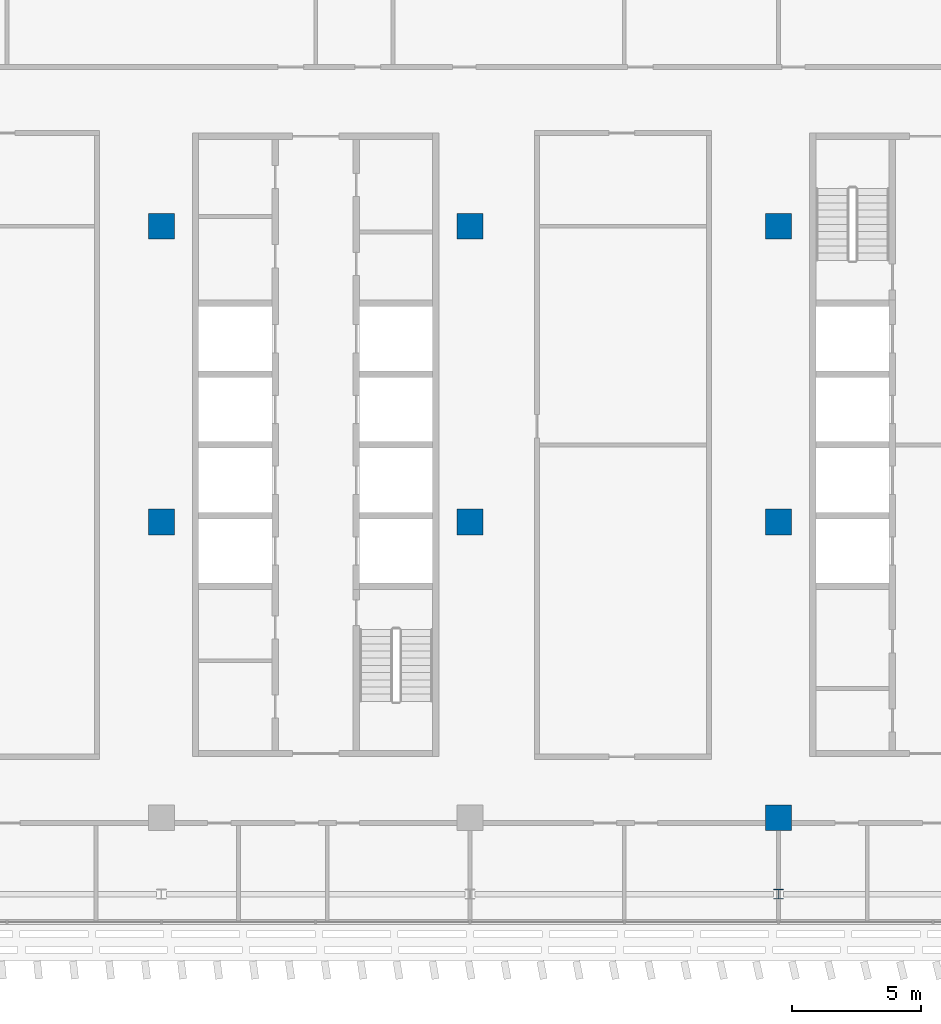
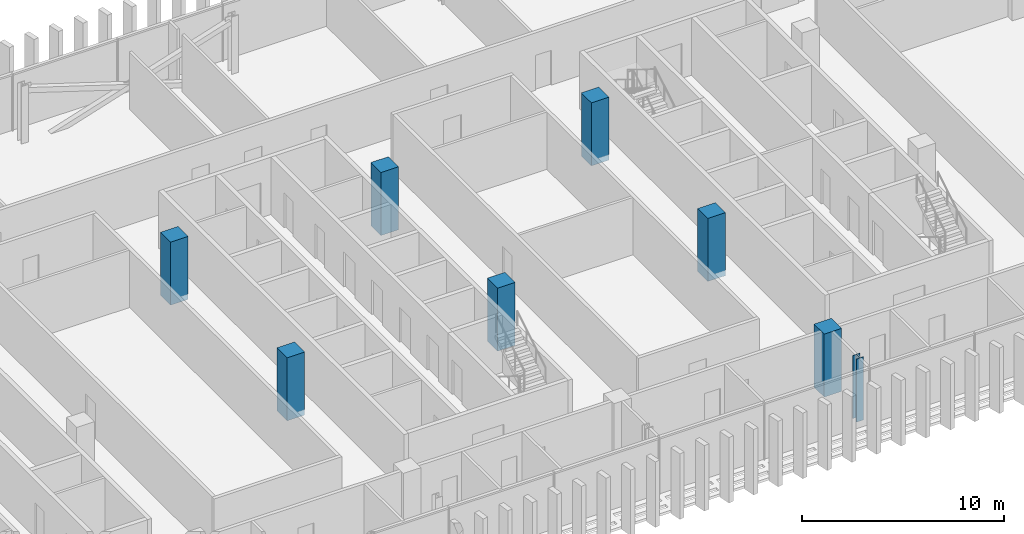
# One storey, part 2 of 32: 8 columns.
"""IFC4 building model written with IfcOpenShell, lengths in metres."""

from ifc_helpers import new_model, si_unit, direction, frame, origin, origin_2d, place, context, subcontext, project, spatial, rectangle, i_section, extrude, material, material_profile, profile_set, type_object, element, save


model = new_model("IFC4")

# Units and contexts
model_context = context("Model", 3, precision=1e-05, world=origin(), true_north=direction((0.0, 1.0)))
body_context = subcontext(model_context, "Body", "Model", "MODEL_VIEW")
ifc_project = project(units=[si_unit("LENGTHUNIT", "METRE"), si_unit("AREAUNIT", "SQUARE_METRE"), si_unit("VOLUMEUNIT", "CUBIC_METRE"), si_unit("PLANEANGLEUNIT", "RADIAN"), si_unit("MASSUNIT", "GRAM", prefix="KILO")], contexts=[model_context])

# Site, building, storey
site_placement = place(None, origin())
site = spatial("IfcSite", under=ifc_project, at=site_placement, CompositionType="ELEMENT")
building_placement = place(site_placement, origin())
building = spatial("IfcBuilding", under=site, at=building_placement, Name="Mahtab Terrace Research Tower", CompositionType="ELEMENT")
storey_placement = place(building_placement, frame((0.0, 0.0, 243.800048828125)))
storey = spatial("IfcBuildingStorey", under=building, at=storey_placement, Name="L59", CompositionType="ELEMENT", Elevation=243.800048828125)

# Columns
ifc_material_1 = material(Name="Concrete C70/85", Category="concrete")
ifc_material_profile_1 = material_profile(ifc_material_1, rectangle(XDim=1.0, YDim=1.0, at=origin_2d()), Name="RC column 1000x1000")
ifc_profile_set_1 = profile_set([ifc_material_profile_1], Name="Concrete C70/85")
column_type_1 = type_object("IfcColumnType", Name="RC column 1000x1000", PredefinedType="COLUMN", material=ifc_profile_set_1)
for number, where, z_axis, x_axis, name in (
    (1, (-6.0, 0.0, -0.340087890625), (0.0, 0.0, 1.0), (1.0, 0.0, 0.0), "Column RC-4B L59"),
    (2, (-6.0, 11.5, -0.340087890625), (0.0, 0.0, 1.0), (1.0, 0.0, 0.0), "Column RC-4C L59"),
    (3, (6.0, 0.0, -0.340087890625), (0.0, 0.0, 1.0), (1.0, 0.0, 0.0), "Column RC-5B L59"),
    (4, (6.0, 11.5, -0.340087890625), (0.0, 0.0, 1.0), (1.0, 0.0, 0.0), "Column RC-5C L59"),
    (5, (18.0, -11.5, -0.340087890625), (0.0, 0.0, 1.0), (1.0, 0.0, 0.0), "Column RC-6A L59"),
    (6, (18.0, 0.0, -0.340087890625), (0.0, 0.0, 1.0), (1.0, 0.0, 0.0), "Column RC-6B L59"),
    (7, (18.0, 11.5, -0.340087890625), (0.0, 0.0, 1.0), (1.0, 0.0, 0.0), "Column RC-6C L59"),
):
    element("IfcColumn", number, at=place(storey_placement, frame(where, z_axis=z_axis, x_axis=x_axis)), inside=storey, type_object=column_type_1, Name=name, PredefinedType="COLUMN", context=body_context, shape_type="SweptSolid", body=[
        extrude(rectangle(XDim=1.0, YDim=1.0, at=origin_2d()), origin(), (0.0, 0.0, 1.0), 3.800048828125),
    ])
ifc_material_2 = material(Name="Steel ASTM A992 Gr 50", Category="steel")
ifc_material_profile_2 = material_profile(ifc_material_2, i_section(OverallWidth=0.398681640625, OverallDepth=0.385986328125, WebThickness=0.02099609375, FlangeThickness=0.033203125, at=origin_2d()), Name="W14X176")
ifc_profile_set_2 = profile_set([ifc_material_profile_2], Name="Steel ASTM A992 Gr 50")
column_type_2 = type_object("IfcColumnType", Name="W14x176 column CS14176", PredefinedType="COLUMN", material=ifc_profile_set_2)
column_placement = place(storey_placement, frame((18.0, -14.472900390625, -0.340087890625), z_axis=(0.0, 0.0, 1.0), x_axis=(1.0, 0.0, 0.0)))
element("IfcColumn", 8, at=column_placement, inside=storey, type_object=column_type_2, Name="Column SC-066 L59", PredefinedType="COLUMN", context=body_context, shape_type="SweptSolid", body=[
    extrude(i_section(OverallWidth=0.398681640625, OverallDepth=0.385986328125, WebThickness=0.02099609375, FlangeThickness=0.033203125, at=origin_2d()), origin(), (0.0, 0.0, 1.0), 3.800048828125),
])

save(model, "model.ifc")
